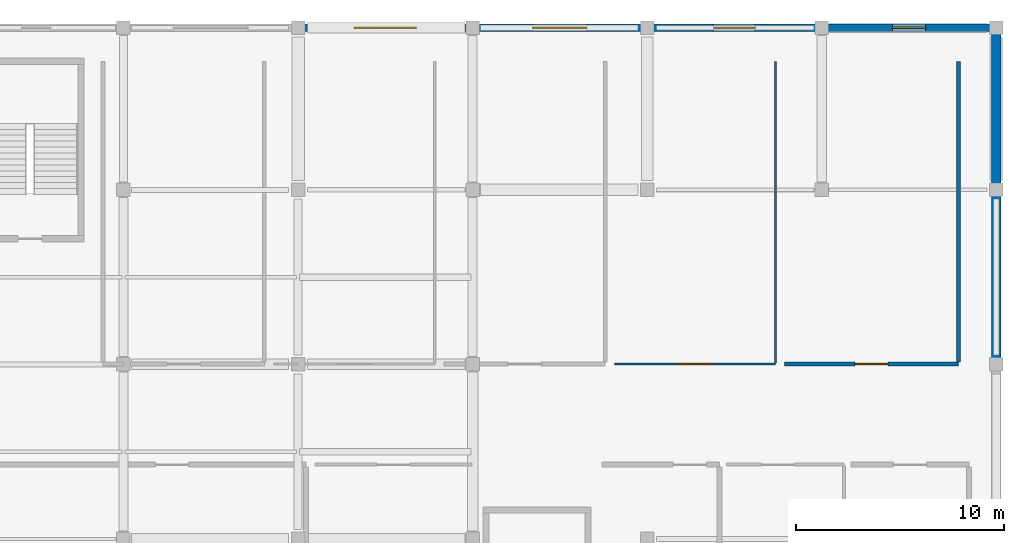
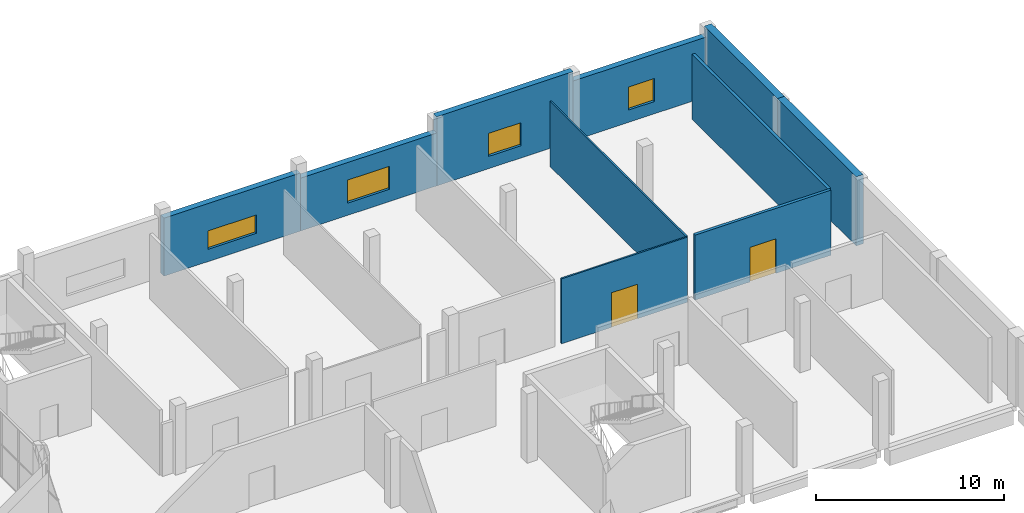
# One storey, part 65 of 75: 10 walls, 4 windows, 2 doors, 6 openings.
"""IFC4 building model written with IfcOpenShell, lengths in metres."""

from ifc_helpers import new_model, si_unit, derived_unit, direction, frame, frame_2d, origin, place, context, subcontext, project, spatial, rectangle, extrude, material, layer, layer_set, type_object, element, fill, save


model = new_model("IFC4")

# Units and contexts
model_context = context("Model", 3, precision=1e-05, world=origin(), true_north=direction((0.0, 1.0)))
body_context = subcontext(model_context, "Body", "Model", "MODEL_VIEW")
ifc_project = project(units=[si_unit("LENGTHUNIT", "METRE"), si_unit("AREAUNIT", "SQUARE_METRE"), si_unit("VOLUMEUNIT", "CUBIC_METRE"), si_unit("PLANEANGLEUNIT", "RADIAN"), si_unit("MASSUNIT", "GRAM", prefix="KILO"), derived_unit("THERMALTRANSMITTANCEUNIT", [(si_unit("POWERUNIT", "WATT"), 1), (si_unit("LENGTHUNIT", "METRE"), -2), (si_unit("THERMODYNAMICTEMPERATUREUNIT", "KELVIN"), -1)])], contexts=[model_context])

# Site, building, storey
site_placement = place(None, origin())
site = spatial("IfcSite", under=ifc_project, at=site_placement, CompositionType="ELEMENT")
building_placement = place(site_placement, origin())
building = spatial("IfcBuilding", under=site, at=building_placement, Name="Barrovel Congress Hotel", CompositionType="ELEMENT")
storey_placement = place(building_placement, frame((0.0, 0.0, 5.39990234375)))
storey = spatial("IfcBuildingStorey", under=building, at=storey_placement, Name="L01", CompositionType="ELEMENT", Elevation=5.39990234375)

# Wall, opening, window
ifc_material_1 = material(Name="Fired Clay Brick Masonry", Category="masonry")
ifc_layer_1 = layer(ifc_material_1, 0.360107421875)
ifc_layer_set_1 = layer_set([ifc_layer_1], Name="Fired Clay Brick Masonry")
wall_type_1 = type_object("IfcWallType", Name="EW-BRK360", PredefinedType="STANDARD", material=ifc_layer_set_1)
wall_1_placement = place(storey_placement, frame((176.39990234375, 112.800048828125, 0.0), z_axis=(0.0, 0.0, 1.0), x_axis=(-1.0, 0.0, 0.0)))
wall_1 = element("IfcWall", 1, at=wall_1_placement, inside=storey, type_object=wall_type_1, Name="EW:L01:V3N:20", PredefinedType="STANDARD", context=body_context, shape_type="SweptSolid", body=[
    extrude(rectangle(XDim=8.39990234375, YDim=0.360107421875, at=frame_2d((4.199951171875, 0.0))), origin(), (0.0, 0.0, 1.0), 3.885986328125),
])
opening_1_placement = place(wall_1_placement, frame((3.39990234375, 0.0, 0.800048828125)))
opening_1 = element("IfcOpeningElement", 2, at=opening_1_placement, cuts=wall_1, Name="Opening WN-13", PredefinedType="OPENING", context=body_context, shape_type="SweptSolid", body=[
    extrude(rectangle(XDim=1.60009765625, YDim=1.5, at=frame_2d((0.800048828125, 0.75))), frame((0.0, 0.18994140625, 0.0), z_axis=(0.0, -1.0, 0.0), x_axis=(1.0, 0.0, 0.0)), (0.0, 0.0, 1.0), 0.380126953125),
])
ifc_material_2 = material(Name="Double Low-E Insulated Glazing", Category="glass")
window_type_1 = type_object("IfcWindowType", Name="WIN-WN-13", PartitioningType="SINGLE_PANEL", PredefinedType="WINDOW", material=ifc_material_2)
window_1_placement = place(opening_1_placement, origin())
window_1 = element("IfcWindow", 3, at=window_1_placement, inside=storey, type_object=window_type_1, Name="WIN:L01:V3N:20", OverallHeight=1.5, OverallWidth=1.60009765625, PartitioningType="SINGLE_PANEL", PredefinedType="WINDOW", context=body_context, shape_type="SweptSolid", body=[
    extrude(rectangle(XDim=1.60009765625, YDim=1.5, at=frame_2d((0.800048828125, 0.75))), frame((0.0, 0.030029296875, 0.0), z_axis=(0.0, -1.0, 0.0), x_axis=(1.0, 0.0, 0.0)), (0.0, 0.0, 1.0), 0.06005859375),
])
fill(opening_1, window_1)

wall_2_placement = place(storey_placement, frame((168.0, 112.800048828125, 0.0), z_axis=(0.0, 0.0, 1.0), x_axis=(-1.0, 0.0, 0.0)))
wall_2 = element("IfcWall", 4, at=wall_2_placement, inside=storey, type_object=wall_type_1, Name="EW:L01:V3N:19", PredefinedType="STANDARD", context=body_context, shape_type="SweptSolid", body=[
    extrude(rectangle(XDim=8.39990234375, YDim=0.360107421875, at=frame_2d((4.199951171875, 0.0))), origin(), (0.0, 0.0, 1.0), 4.5),
])
opening_2_placement = place(wall_2_placement, frame((3.199951171875, 0.0, 0.800048828125)))
opening_2 = element("IfcOpeningElement", 5, at=opening_2_placement, cuts=wall_2, Name="Opening WN-14", PredefinedType="OPENING", context=body_context, shape_type="SweptSolid", body=[
    extrude(rectangle(XDim=2.0, YDim=1.5, at=frame_2d((1.0, 0.75))), frame((0.0, 0.18994140625, 0.0), z_axis=(0.0, -1.0, 0.0), x_axis=(1.0, 0.0, 0.0)), (0.0, 0.0, 1.0), 0.380126953125),
])
window_type_2 = type_object("IfcWindowType", Name="WIN-WN-14", PartitioningType="SINGLE_PANEL", PredefinedType="WINDOW", material=ifc_material_2)
window_2_placement = place(opening_2_placement, origin())
window_2 = element("IfcWindow", 6, at=window_2_placement, inside=storey, type_object=window_type_2, Name="WIN:L01:V3N:19", OverallHeight=1.5, OverallWidth=2.0, PartitioningType="SINGLE_PANEL", PredefinedType="WINDOW", context=body_context, shape_type="SweptSolid", body=[
    extrude(rectangle(XDim=2.0, YDim=1.5, at=frame_2d((1.0, 0.75))), frame((0.0, 0.030029296875, 0.0), z_axis=(0.0, -1.0, 0.0), x_axis=(1.0, 0.0, 0.0)), (0.0, 0.0, 1.0), 0.06005859375),
])
fill(opening_2, window_2)

wall_3_placement = place(storey_placement, frame((159.60009765625, 112.800048828125, 0.0), z_axis=(0.0, 0.0, 1.0), x_axis=(-1.0, 0.0, 0.0)))
wall_3 = element("IfcWall", 7, at=wall_3_placement, inside=storey, type_object=wall_type_1, Name="EW:L01:V3N:18", PredefinedType="STANDARD", context=body_context, shape_type="SweptSolid", body=[
    extrude(rectangle(XDim=8.400146484375, YDim=0.360107421875, at=frame_2d((4.2001953125, 0.0))), origin(), (0.0, 0.0, 1.0), 3.440185546875),
])
opening_3_placement = place(wall_3_placement, frame((2.89990234375, 0.0, 0.800048828125)))
opening_3 = element("IfcOpeningElement", 8, at=opening_3_placement, cuts=wall_3, Name="Opening WN-15", PredefinedType="OPENING", context=body_context, shape_type="SweptSolid", body=[
    extrude(rectangle(XDim=2.60009765625, YDim=1.5, at=frame_2d((1.300048828125, 0.75))), frame((0.0, 0.18994140625, 0.0), z_axis=(0.0, -1.0, 0.0), x_axis=(1.0, 0.0, 0.0)), (0.0, 0.0, 1.0), 0.380126953125),
])
window_type_3 = type_object("IfcWindowType", Name="WIN-WN-15", PartitioningType="SINGLE_PANEL", PredefinedType="WINDOW", material=ifc_material_2)
window_3_placement = place(opening_3_placement, origin())
window_3 = element("IfcWindow", 9, at=window_3_placement, inside=storey, type_object=window_type_3, Name="WIN:L01:V3N:18", OverallHeight=1.5, OverallWidth=2.60009765625, PartitioningType="SINGLE_PANEL", PredefinedType="WINDOW", context=body_context, shape_type="SweptSolid", body=[
    extrude(rectangle(XDim=2.60009765625, YDim=1.5, at=frame_2d((1.300048828125, 0.75))), frame((0.0, 0.030029296875, 0.0), z_axis=(0.0, -1.0, 0.0), x_axis=(1.0, 0.0, 0.0)), (0.0, 0.0, 1.0), 0.06005859375),
])
fill(opening_3, window_3)

wall_4_placement = place(storey_placement, frame((151.199951171875, 112.800048828125, 0.0), z_axis=(0.0, 0.0, 1.0), x_axis=(-1.0, 0.0, 0.0)))
wall_4 = element("IfcWall", 10, at=wall_4_placement, inside=storey, type_object=wall_type_1, Name="EW:L01:V3N:17", PredefinedType="STANDARD", context=body_context, shape_type="SweptSolid", body=[
    extrude(rectangle(XDim=8.39990234375, YDim=0.360107421875, at=frame_2d((4.199951171875, 0.0))), origin(), (0.0, 0.0, 1.0), 3.780029296875),
])
opening_4_placement = place(wall_4_placement, frame((2.699951171875, 0.0, 0.800048828125)))
opening_4 = element("IfcOpeningElement", 11, at=opening_4_placement, cuts=wall_4, Name="Opening WN-16", PredefinedType="OPENING", context=body_context, shape_type="SweptSolid", body=[
    extrude(rectangle(XDim=3.0, YDim=1.199951171875, at=frame_2d((1.5, 0.60009765625))), frame((0.0, 0.18994140625, 0.0), z_axis=(0.0, -1.0, 0.0), x_axis=(1.0, 0.0, 0.0)), (0.0, 0.0, 1.0), 0.380126953125),
])
window_type_4 = type_object("IfcWindowType", Name="WIN-WN-16", PartitioningType="SINGLE_PANEL", PredefinedType="WINDOW", material=ifc_material_2)
window_4_placement = place(opening_4_placement, origin())
window_4 = element("IfcWindow", 12, at=window_4_placement, inside=storey, type_object=window_type_4, Name="WIN:L01:V3N:17", OverallHeight=1.199951171875, OverallWidth=3.0, PartitioningType="SINGLE_PANEL", PredefinedType="WINDOW", context=body_context, shape_type="SweptSolid", body=[
    extrude(rectangle(XDim=3.0, YDim=1.199951171875, at=frame_2d((1.5, 0.60009765625))), frame((0.0, 0.030029296875, 0.0), z_axis=(0.0, -1.0, 0.0), x_axis=(1.0, 0.0, 0.0)), (0.0, 0.0, 1.0), 0.06005859375),
])
fill(opening_4, window_4)

# Walls
ifc_layer_2 = layer(ifc_material_1, 0.449951171875)
ifc_layer_set_2 = layer_set([ifc_layer_2], Name="Fired Clay Brick Masonry")
wall_type_2 = type_object("IfcWallType", Name="EW-PW450", PredefinedType="STANDARD", material=ifc_layer_set_2)
wall_5_placement = place(storey_placement, frame((176.39990234375, 96.60009765625, 0.0), z_axis=(0.0, 0.0, 1.0), x_axis=(0.0, 1.0, 0.0)))
element("IfcWall", 13, at=wall_5_placement, inside=storey, type_object=wall_type_2, Name="EW:L01:PARTY:96.6", PredefinedType="STANDARD", context=body_context, shape_type="SweptSolid", body=[
    extrude(rectangle(XDim=8.39990234375, YDim=0.449951171875, at=frame_2d((4.199951171875, 0.0))), origin(), (0.0, 0.0, 1.0), 4.5),
])
wall_6_placement = place(storey_placement, frame((176.39990234375, 105.0, 0.0), z_axis=(0.0, 0.0, 1.0), x_axis=(0.0, 1.0, 0.0)))
element("IfcWall", 14, at=wall_6_placement, inside=storey, type_object=wall_type_2, Name="EW:L01:PARTY:105.0", PredefinedType="STANDARD", context=body_context, shape_type="SweptSolid", body=[
    extrude(rectangle(XDim=7.800048828125, YDim=0.449951171875, at=frame_2d((3.89990234375, 0.0))), origin(), (0.0, 0.0, 1.0), 4.5),
])

# Wall, opening, door
ifc_material_3 = material(Name="Gypsum Acoustic Stud", Category="gypsum")
ifc_layer_3 = layer(ifc_material_3, 0.179931640625)
ifc_layer_set_3 = layer_set([ifc_layer_3], Name="Gypsum Acoustic Stud")
wall_type_3 = type_object("IfcWallType", Name="PW-ACU-180", PredefinedType="PARTITIONING", material=ifc_layer_set_3)
wall_7_placement = place(storey_placement, frame((166.219970703125, 96.6201171875, 0.0), z_axis=(0.0, 0.0, 1.0), x_axis=(1.0, 0.0, 0.0)))
wall_7 = element("IfcWall", 15, at=wall_7_placement, inside=storey, type_object=wall_type_3, Name="RW:SP:L01:TRT-N5:S", PredefinedType="PARTITIONING", context=body_context, shape_type="SweptSolid", body=[
    extrude(rectangle(XDim=8.360107421875, YDim=0.179931640625, at=frame_2d((4.18017578125, 0.0))), origin(), (0.0, 0.0, 1.0), 4.235107421875),
])
opening_5_placement = place(wall_7_placement, frame((3.3798828125, 0.0, 0.0)))
opening_5 = element("IfcOpeningElement", 16, at=opening_5_placement, cuts=wall_7, Name="Opening ID-MTG", PredefinedType="OPENING", context=body_context, shape_type="SweptSolid", body=[
    extrude(rectangle(XDim=1.60009765625, YDim=2.25, at=frame_2d((0.800048828125, 1.125))), frame((0.0, 0.10009765625, 0.0), z_axis=(0.0, -1.0, 0.0), x_axis=(1.0, 0.0, 0.0)), (0.0, 0.0, 1.0), 0.199951171875),
])
ifc_material_4 = material(Name="Solid Oak Acoustic Timber Door", Category="wood")
door_type = type_object("IfcDoorType", Name="IDR-ID-MTG", OperationType="NOTDEFINED", PredefinedType="DOOR", material=ifc_material_4)
door_1_placement = place(opening_5_placement, origin())
door_1 = element("IfcDoor", 17, at=door_1_placement, inside=storey, type_object=door_type, Name="RD:SP:L01:TRT-N5", OperationType="DOUBLE_DOOR_SINGLE_SWING", OverallHeight=2.25, OverallWidth=1.60009765625, PredefinedType="DOOR", context=body_context, shape_type="SweptSolid", body=[
    extrude(rectangle(XDim=1.60009765625, YDim=2.25, at=frame_2d((0.800048828125, 1.125))), frame((0.0, 0.02490234375, 0.0), z_axis=(0.0, -1.0, 0.0), x_axis=(1.0, 0.0, 0.0)), (0.0, 0.0, 1.0), 0.050048828125),
])
fill(opening_5, door_1)

# Wall
wall_8_placement = place(storey_placement, frame((174.580078125, 96.7099609375, 0.0), z_axis=(0.0, 0.0, 1.0), x_axis=(0.0, 1.0, 0.0)))
element("IfcWall", 18, at=wall_8_placement, inside=storey, type_object=wall_type_3, Name="RW:SP:L01:TRT-N5:E", PredefinedType="PARTITIONING", context=body_context, shape_type="SweptSolid", body=[
    extrude(rectangle(XDim=14.469970703125, YDim=0.179931640625, at=frame_2d((7.23486328125, 0.0))), origin(), (0.0, 0.0, 1.0), 4.235107421875),
])

# Wall, opening, door
ifc_layer_4 = layer(ifc_material_3, 0.10009765625)
ifc_layer_set_4 = layer_set([ifc_layer_4], Name="Gypsum Acoustic Stud")
wall_type_4 = type_object("IfcWallType", Name="PW-LGT-100", PredefinedType="PARTITIONING", material=ifc_layer_set_4)
wall_9_placement = place(storey_placement, frame((158.02001953125, 96.6201171875, 0.0), z_axis=(0.0, 0.0, 1.0), x_axis=(1.0, 0.0, 0.0)))
wall_9 = element("IfcWall", 19, at=wall_9_placement, inside=storey, type_object=wall_type_4, Name="RW:SP:L01:TRT-N4:S", PredefinedType="PARTITIONING", context=body_context, shape_type="SweptSolid", body=[
    extrude(rectangle(XDim=7.760009765625, YDim=0.10009765625, at=frame_2d((3.8798828125, 0.0))), origin(), (0.0, 0.0, 1.0), 4.235107421875),
])
opening_6_placement = place(wall_9_placement, frame((3.080078125, 0.0, 0.0)))
opening_6 = element("IfcOpeningElement", 20, at=opening_6_placement, cuts=wall_9, Name="Opening ID-MTG", PredefinedType="OPENING", context=body_context, shape_type="SweptSolid", body=[
    extrude(rectangle(XDim=1.60009765625, YDim=2.25, at=frame_2d((0.800048828125, 1.125))), frame((0.0, 0.06005859375, 0.0), z_axis=(0.0, -1.0, 0.0), x_axis=(1.0, 0.0, 0.0)), (0.0, 0.0, 1.0), 0.1201171875),
])
door_2_placement = place(opening_6_placement, origin())
door_2 = element("IfcDoor", 21, at=door_2_placement, inside=storey, type_object=door_type, Name="RD:SP:L01:TRT-N4", OperationType="DOUBLE_DOOR_SINGLE_SWING", OverallHeight=2.25, OverallWidth=1.60009765625, PredefinedType="DOOR", context=body_context, shape_type="SweptSolid", body=[
    extrude(rectangle(XDim=1.60009765625, YDim=2.25, at=frame_2d((0.800048828125, 1.125))), frame((0.0, 0.02490234375, 0.0), z_axis=(0.0, -1.0, 0.0), x_axis=(1.0, 0.0, 0.0)), (0.0, 0.0, 1.0), 0.050048828125),
])
fill(opening_6, door_2)

# Wall
wall_10_placement = place(storey_placement, frame((165.780029296875, 96.669921875, 0.0), z_axis=(0.0, 0.0, 1.0), x_axis=(0.0, 1.0, 0.0)))
element("IfcWall", 22, at=wall_10_placement, inside=storey, type_object=wall_type_4, Name="RW:SP:L01:TRT-N4:E", PredefinedType="PARTITIONING", context=body_context, shape_type="SweptSolid", body=[
    extrude(rectangle(XDim=14.510009765625, YDim=0.10009765625, at=frame_2d((7.2548828125, 0.0))), origin(), (0.0, 0.0, 1.0), 4.235107421875),
])

save(model, "model.ifc")
